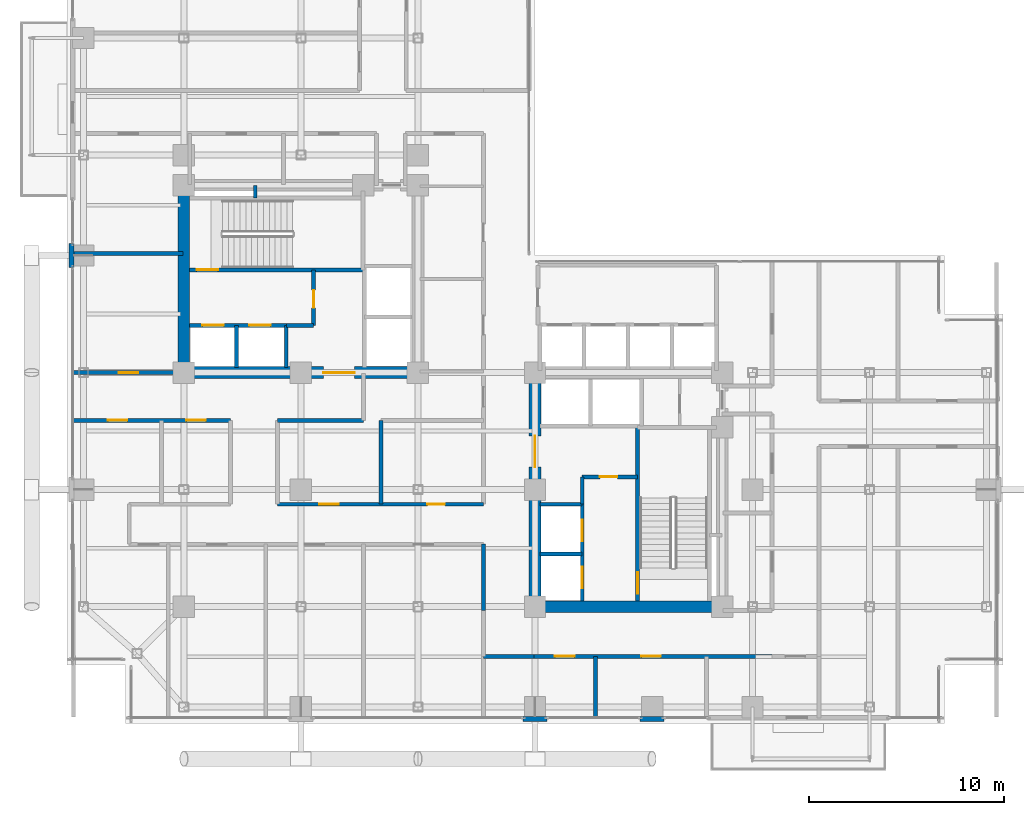
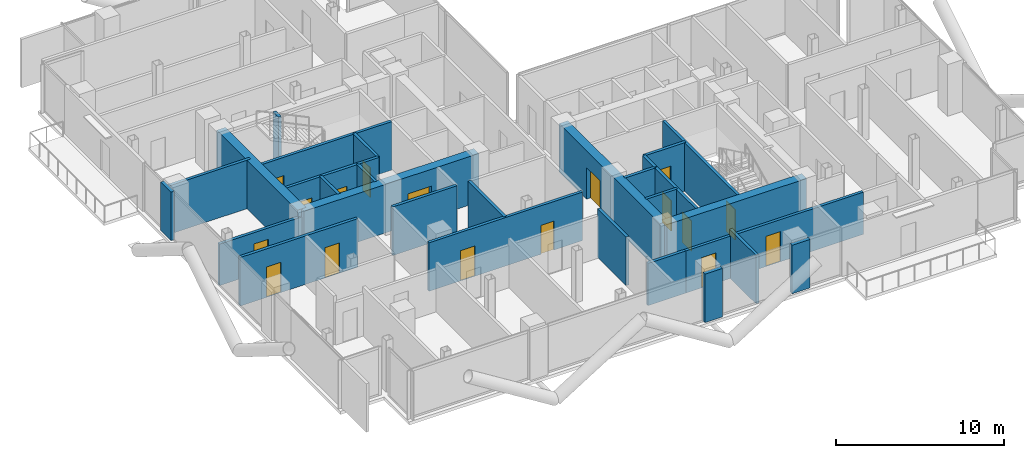
# One storey, part 22 of 28: 30 walls, 17 doors, 17 openings.
"""IFC4 building model written with IfcOpenShell, lengths in metres."""

from ifc_helpers import new_model, si_unit, direction, frame, frame_2d, origin, place, context, subcontext, project, spatial, rectangle, extrude, material, layer, layer_set, type_object, element, fill, save


model = new_model("IFC4")

# Units and contexts
model_context = context("Model", 3, precision=1e-05, world=origin(), true_north=direction((0.0, 1.0)))
body_context = subcontext(model_context, "Body", "Model", "MODEL_VIEW")
ifc_project = project(units=[si_unit("LENGTHUNIT", "METRE"), si_unit("AREAUNIT", "SQUARE_METRE"), si_unit("VOLUMEUNIT", "CUBIC_METRE"), si_unit("PLANEANGLEUNIT", "RADIAN"), si_unit("MASSUNIT", "GRAM", prefix="KILO"), si_unit("THERMODYNAMICTEMPERATUREUNIT", "KELVIN"), si_unit("POWERUNIT", "WATT")], contexts=[model_context])

# Site, building, storey
site_placement = place(None, origin())
site = spatial("IfcSite", under=ifc_project, at=site_placement, CompositionType="ELEMENT")
building_placement = place(site_placement, origin())
building = spatial("IfcBuilding", under=site, at=building_placement, Name="Svarakhadi Broadcast Tower", CompositionType="ELEMENT")
storey_placement = place(building_placement, frame((0.0, 0.0, 123.14990234375)))
storey = spatial("IfcBuildingStorey", under=building, at=storey_placement, Name="L29", CompositionType="ELEMENT", Elevation=123.14990234375)

# Wall
ifc_material_1 = material(Name="Double-Stud Acoustic Studio Partition STC-62", Category="gypsum")
ifc_layer_1 = layer(ifc_material_1, 0.199951171875)
ifc_layer_set_1 = layer_set([ifc_layer_1], Name="Double-Stud Acoustic Studio Partition STC-62")
wall_type_1 = type_object("IfcWallType", Name="Wall_Acoust_200", PredefinedType="PARTITIONING", material=ifc_layer_set_1)
wall_1_placement = place(storey_placement, frame((16.10009765625, 11.25, 0.0), z_axis=(0.0, 0.0, 1.0), x_axis=(0.0, 1.0, 0.0)))
element("IfcWall", 1, at=wall_1_placement, inside=storey, type_object=wall_type_1, Name="L29 Central Review Briefing Pod Wall", PredefinedType="PARTITIONING", context=body_context, shape_type="SweptSolid", body=[
    extrude(rectangle(XDim=4.300048828125, YDim=0.199951171875, at=frame_2d((2.14990234375, 0.0))), origin(), (0.0, 0.0, 1.0), 3.525146484375),
])

# Wall, opening, door
wall_2_placement = place(storey_placement, frame((0.300048828125, 18.0, 0.0), z_axis=(0.0, 0.0, 1.0), x_axis=(1.0, 0.0, 0.0)))
wall_2 = element("IfcWall", 2, at=wall_2_placement, inside=storey, type_object=wall_type_1, Name="L29 Arabian Sea Executive Studio Wall", PredefinedType="PARTITIONING", context=body_context, shape_type="SweptSolid", body=[
    extrude(rectangle(XDim=5.64990234375, YDim=0.199951171875, at=frame_2d((2.824951171875, 0.0))), origin(), (0.0, 0.0, 1.0), 3.01708984375),
])
opening_1_placement = place(wall_2_placement, frame((2.35009765625, 0.0, 0.0)))
opening_1 = element("IfcOpeningElement", 3, at=opening_1_placement, cuts=wall_2, Name="Opening D-08", PredefinedType="OPENING", context=body_context, shape_type="SweptSolid", body=[
    extrude(rectangle(XDim=1.0, YDim=2.199951171875, at=frame_2d((0.5, 1.10009765625))), frame((0.0, 0.10986328125, 0.0), z_axis=(0.0, -1.0, 0.0), x_axis=(1.0, 0.0, 0.0)), (0.0, 0.0, 1.0), 0.219970703125),
])
ifc_material_2 = material(Name="Solid-Core Teak Veneer Acoustic Timber Leaf", Category="wood")
door_type_1 = type_object("IfcDoorType", Name="Door_Suite_D08", OperationType="SINGLE_SWING_LEFT", PredefinedType="DOOR", material=ifc_material_2)
door_1_placement = place(opening_1_placement, origin())
door_1 = element("IfcDoor", 4, at=door_1_placement, inside=storey, type_object=door_type_1, Name="L29 Arabian Sea Executive Studio Door", OperationType="SINGLE_SWING_LEFT", OverallHeight=2.199951171875, OverallWidth=1.0, PredefinedType="DOOR", context=body_context, shape_type="SweptSolid", body=[
    extrude(rectangle(XDim=1.0, YDim=2.199951171875, at=frame_2d((0.5, 1.10009765625))), frame((0.0, 0.02490234375, 0.0), z_axis=(0.0, -1.0, 0.0), x_axis=(1.0, 0.0, 0.0)), (0.0, 0.0, 1.0), 0.050048828125),
])
fill(opening_1, door_1)

# Walls
wall_3_placement = place(storey_placement, frame((0.300048828125, 24.10009765625, 0.0), z_axis=(0.0, 0.0, 1.0), x_axis=(1.0, 0.0, 0.0)))
element("IfcWall", 5, at=wall_3_placement, inside=storey, type_object=wall_type_1, Name="L29 Arabian Sea Executive Studio Wall", PredefinedType="PARTITIONING", context=body_context, shape_type="SweptSolid", body=[
    extrude(rectangle(XDim=5.64990234375, YDim=0.199951171875, at=frame_2d((2.824951171875, 0.0))), origin(), (0.0, 0.0, 1.0), 3.525146484375),
])
wall_4_placement = place(storey_placement, frame((27.10009765625, 0.300048828125, 0.0), z_axis=(0.0, 0.0, 1.0), x_axis=(0.0, 1.0, 0.0)))
element("IfcWall", 6, at=wall_4_placement, inside=storey, type_object=wall_type_1, Name="L29 Harbour Front Production Office Wall", PredefinedType="PARTITIONING", context=body_context, shape_type="SweptSolid", body=[
    extrude(rectangle(XDim=3.14990234375, YDim=0.199951171875, at=frame_2d((1.574951171875, 0.0))), origin(), (0.0, 0.0, 1.0), 3.525146484375),
])
ifc_material_3 = material(Name="Concrete C40/50 (IS 456 M50)", Category="concrete")
ifc_layer_2 = layer(ifc_material_3, 0.239990234375)
ifc_layer_set_2 = layer_set([ifc_layer_2], Name="Concrete C40/50 (IS 456 M50)")
wall_type_2 = type_object("IfcWallType", Name="Wall_Ext_240", PredefinedType="SOLIDWALL", material=ifc_layer_set_2)
for number, where, z_axis, x_axis, name in (
    (7, (0.239990234375, 23.385009765625, 0.0), (0.0, 0.0, 1.0), (0.0, 1.0, 0.0), "L29 Perimeter Bronze Spandrel Closure Wall 02"),
    (8, (30.614990234375, 0.239990234375, 0.0), (0.0, 0.0, 1.0), (-1.0, 0.0, 0.0), "L29 Perimeter Bronze Spandrel Closure Wall 06"),
    (9, (24.614990234375, 0.239990234375, 0.0), (0.0, 0.0, 1.0), (-1.0, 0.0, 0.0), "L29 Perimeter Bronze Spandrel Closure Wall 07"),
):
    element("IfcWall", number, at=place(storey_placement, frame(where, z_axis=z_axis, x_axis=x_axis)), inside=storey, type_object=wall_type_2, Name=name, PredefinedType="SOLIDWALL", context=body_context, shape_type="SweptSolid", body=[
        extrude(rectangle(XDim=1.22998046875, YDim=0.239990234375, at=frame_2d((0.614990234375, 0.0))), origin(), (0.0, 0.0, 1.0), 3.525146484375),
    ])
ifc_layer_3 = layer(ifc_material_3, 0.199951171875)
ifc_layer_set_3 = layer_set([ifc_layer_3], Name="Concrete C40/50 (IS 456 M50)")
wall_type_3 = type_object("IfcWallType", Name="Wall_Fire_200", PredefinedType="SOLIDWALL", material=ifc_layer_set_3)
wall_5_placement = place(storey_placement, frame((9.659912109375, 26.93994140625, 0.0), z_axis=(0.0, 0.0, 1.0), x_axis=(0.0, 1.0, 0.0)))
element("IfcWall", 10, at=wall_5_placement, inside=storey, type_object=wall_type_3, Name="L29 Wet Riser Shaft East Wall", PredefinedType="SOLIDWALL", context=body_context, shape_type="SweptSolid", body=[
    extrude(rectangle(XDim=0.64013671875, YDim=0.199951171875, at=frame_2d((0.320068359375, 0.0))), origin(), (0.0, 0.0, 1.0), 3.525146484375),
])

# Wall, openings, doors
wall_6_placement = place(storey_placement, frame((36.14990234375, 3.449951171875, 0.0), z_axis=(0.0, 0.0, 1.0), x_axis=(-1.0, 0.0, 0.0)))
wall_6 = element("IfcWall", 11, at=wall_6_placement, inside=storey, type_object=wall_type_3, Name="L29 Zone 2/3 Corridor Wall", PredefinedType="SOLIDWALL", context=body_context, shape_type="SweptSolid", body=[
    extrude(rectangle(XDim=12.199951171875, YDim=0.199951171875, at=frame_2d((6.10009765625, 0.0))), origin(), (0.0, 0.0, 1.0), 3.067138671875),
])
opening_2_placement = place(wall_6_placement, frame((10.125, 0.0, 0.0)))
opening_2 = element("IfcOpeningElement", 12, at=opening_2_placement, cuts=wall_6, Name="Opening D-09", PredefinedType="OPENING", context=body_context, shape_type="SweptSolid", body=[
    extrude(rectangle(XDim=1.0, YDim=2.199951171875, at=frame_2d((0.5, 1.10009765625))), frame((0.0, 0.10986328125, 0.0), z_axis=(0.0, -1.0, 0.0), x_axis=(1.0, 0.0, 0.0)), (0.0, 0.0, 1.0), 0.219970703125),
])
opening_3_placement = place(wall_6_placement, frame((5.699951171875, 0.0, 0.0)))
opening_3 = element("IfcOpeningElement", 13, at=opening_3_placement, cuts=wall_6, Name="Opening D-08", PredefinedType="OPENING", context=body_context, shape_type="SweptSolid", body=[
    extrude(rectangle(XDim=1.0, YDim=2.199951171875, at=frame_2d((0.5, 1.10009765625))), frame((0.0, 0.10986328125, 0.0), z_axis=(0.0, -1.0, 0.0), x_axis=(1.0, 0.0, 0.0)), (0.0, 0.0, 1.0), 0.219970703125),
])
door_2_placement = place(opening_3_placement, origin())
door_2 = element("IfcDoor", 14, at=door_2_placement, inside=storey, type_object=door_type_1, Name="L29 Client Preview Briefing Room Door", OperationType="SINGLE_SWING_LEFT", OverallHeight=2.199951171875, OverallWidth=1.0, PredefinedType="DOOR", context=body_context, shape_type="SweptSolid", body=[
    extrude(rectangle(XDim=1.0, YDim=2.199951171875, at=frame_2d((0.5, 1.10009765625))), frame((0.0, 0.02490234375, 0.0), z_axis=(0.0, -1.0, 0.0), x_axis=(1.0, 0.0, 0.0)), (0.0, 0.0, 1.0), 0.050048828125),
])
fill(opening_3, door_2)
door_type_2 = type_object("IfcDoorType", Name="Door_Suite_D09", OperationType="SINGLE_SWING_RIGHT", PredefinedType="DOOR", material=ifc_material_2)
door_3_placement = place(opening_2_placement, origin())
door_3 = element("IfcDoor", 15, at=door_3_placement, inside=storey, type_object=door_type_2, Name="L29 Harbour Front Production Office Door", OperationType="SINGLE_SWING_RIGHT", OverallHeight=2.199951171875, OverallWidth=1.0, PredefinedType="DOOR", context=body_context, shape_type="SweptSolid", body=[
    extrude(rectangle(XDim=1.0, YDim=2.199951171875, at=frame_2d((0.5, 1.10009765625))), frame((0.0, 0.02490234375, 0.0), z_axis=(0.0, -1.0, 0.0), x_axis=(1.0, 0.0, 0.0)), (0.0, 0.0, 1.0), 0.050048828125),
])
fill(opening_2, door_3)

# Walls
wall_7_placement = place(storey_placement, frame((23.949951171875, 3.449951171875, 0.0), z_axis=(0.0, 0.0, 1.0), x_axis=(-1.0, 0.0, 0.0)))
element("IfcWall", 16, at=wall_7_placement, inside=storey, type_object=wall_type_3, Name="L29 Zone 2/3 Corridor Wall", PredefinedType="SOLIDWALL", context=body_context, shape_type="SweptSolid", body=[
    extrude(rectangle(XDim=2.599853515625, YDim=0.199951171875, at=frame_2d((1.2998046875, 0.0))), origin(), (0.0, 0.0, 1.0), 3.067138671875),
])
wall_8_placement = place(storey_placement, frame((21.35009765625, 5.800048828125, 0.0), z_axis=(0.0, 0.0, 1.0), x_axis=(0.0, 1.0, 0.0)))
element("IfcWall", 17, at=wall_8_placement, inside=storey, type_object=wall_type_3, Name="L29 Zone 2/3 Corridor Wall", PredefinedType="SOLIDWALL", context=body_context, shape_type="SweptSolid", body=[
    extrude(rectangle(XDim=3.39990234375, YDim=0.199951171875, at=frame_2d((1.699951171875, 0.0))), origin(), (0.0, 0.0, 1.0), 3.525146484375),
])

# Wall, openings, doors
wall_9_placement = place(storey_placement, frame((8.39990234375, 15.550048828125, 0.0), z_axis=(0.0, 0.0, 1.0), x_axis=(-1.0, 0.0, 0.0)))
wall_9 = element("IfcWall", 18, at=wall_9_placement, inside=storey, type_object=wall_type_3, Name="L29 Zone 2/3 Corridor Wall", PredefinedType="SOLIDWALL", context=body_context, shape_type="SweptSolid", body=[
    extrude(rectangle(XDim=8.099853515625, YDim=0.199951171875, at=frame_2d((4.0498046875, 0.0))), origin(), (0.0, 0.0, 1.0), 3.525146484375),
])
opening_4_placement = place(wall_9_placement, frame((5.300048828125, 0.0, 0.0)))
opening_4 = element("IfcOpeningElement", 19, at=opening_4_placement, cuts=wall_9, Name="Opening D-09", PredefinedType="OPENING", context=body_context, shape_type="SweptSolid", body=[
    extrude(rectangle(XDim=1.0, YDim=2.199951171875, at=frame_2d((0.5, 1.10009765625))), frame((0.0, 0.10986328125, 0.0), z_axis=(0.0, -1.0, 0.0), x_axis=(1.0, 0.0, 0.0)), (0.0, 0.0, 1.0), 0.219970703125),
])
opening_5_placement = place(wall_9_placement, frame((1.27490234375, 0.0, 0.0)))
opening_5 = element("IfcOpeningElement", 20, at=opening_5_placement, cuts=wall_9, Name="Opening D-08", PredefinedType="OPENING", context=body_context, shape_type="SweptSolid", body=[
    extrude(rectangle(XDim=1.0, YDim=2.199951171875, at=frame_2d((0.5, 1.10009765625))), frame((0.0, 0.10986328125, 0.0), z_axis=(0.0, -1.0, 0.0), x_axis=(1.0, 0.0, 0.0)), (0.0, 0.0, 1.0), 0.219970703125),
])
door_4_placement = place(opening_5_placement, origin())
door_4 = element("IfcDoor", 21, at=door_4_placement, inside=storey, type_object=door_type_1, Name="L29 Foley Studio Door", OperationType="SINGLE_SWING_LEFT", OverallHeight=2.199951171875, OverallWidth=1.0, PredefinedType="DOOR", context=body_context, shape_type="SweptSolid", body=[
    extrude(rectangle(XDim=1.0, YDim=2.199951171875, at=frame_2d((0.5, 1.10009765625))), frame((0.0, 0.02490234375, 0.0), z_axis=(0.0, -1.0, 0.0), x_axis=(1.0, 0.0, 0.0)), (0.0, 0.0, 1.0), 0.050048828125),
])
fill(opening_5, door_4)
door_5_placement = place(opening_4_placement, origin())
door_5 = element("IfcDoor", 22, at=door_5_placement, inside=storey, type_object=door_type_2, Name="L29 Voiceover Booth Door", OperationType="SINGLE_SWING_RIGHT", OverallHeight=2.199951171875, OverallWidth=1.0, PredefinedType="DOOR", context=body_context, shape_type="SweptSolid", body=[
    extrude(rectangle(XDim=1.0, YDim=2.199951171875, at=frame_2d((0.5, 1.10009765625))), frame((0.0, 0.02490234375, 0.0), z_axis=(0.0, -1.0, 0.0), x_axis=(1.0, 0.0, 0.0)), (0.0, 0.0, 1.0), 0.050048828125),
])
fill(opening_4, door_5)

# Wall
wall_10_placement = place(storey_placement, frame((15.199951171875, 15.550048828125, 0.0), z_axis=(0.0, 0.0, 1.0), x_axis=(-1.0, 0.0, 0.0)))
element("IfcWall", 23, at=wall_10_placement, inside=storey, type_object=wall_type_3, Name="L29 Zone 2/3 Corridor Wall", PredefinedType="SOLIDWALL", context=body_context, shape_type="SweptSolid", body=[
    extrude(rectangle(XDim=4.39990234375, YDim=0.199951171875, at=frame_2d((2.199951171875, 0.0))), origin(), (0.0, 0.0, 1.0), 3.525146484375),
])

# Wall, openings, doors
wall_11_placement = place(storey_placement, frame((10.800048828125, 11.25, 0.0), z_axis=(0.0, 0.0, 1.0), x_axis=(1.0, 0.0, 0.0)))
wall_11 = element("IfcWall", 24, at=wall_11_placement, inside=storey, type_object=wall_type_3, Name="L29 Zone 2/3 Corridor Wall", PredefinedType="SOLIDWALL", context=body_context, shape_type="SweptSolid", body=[
    extrude(rectangle(XDim=10.550048828125, YDim=0.199951171875, at=frame_2d((5.27490234375, 0.0))), origin(), (0.0, 0.0, 1.0), 3.525146484375),
])
opening_6_placement = place(wall_11_placement, frame((2.14990234375, 0.0, 0.0)))
opening_6 = element("IfcOpeningElement", 25, at=opening_6_placement, cuts=wall_11, Name="Opening D-09", PredefinedType="OPENING", context=body_context, shape_type="SweptSolid", body=[
    extrude(rectangle(XDim=1.0, YDim=2.199951171875, at=frame_2d((0.5, 1.10009765625))), frame((0.0, 0.10986328125, 0.0), z_axis=(0.0, -1.0, 0.0), x_axis=(1.0, 0.0, 0.0)), (0.0, 0.0, 1.0), 0.219970703125),
])
opening_7_placement = place(wall_11_placement, frame((7.679931640625, 0.0, 0.0)))
opening_7 = element("IfcOpeningElement", 26, at=opening_7_placement, cuts=wall_11, Name="Opening D-13", PredefinedType="OPENING", context=body_context, shape_type="SweptSolid", body=[
    extrude(rectangle(XDim=0.89990234375, YDim=2.10009765625, at=frame_2d((0.449951171875, 1.050048828125))), frame((0.0, 0.10986328125, 0.0), z_axis=(0.0, -1.0, 0.0), x_axis=(1.0, 0.0, 0.0)), (0.0, 0.0, 1.0), 0.219970703125),
])
door_type_3 = type_object("IfcDoorType", Name="Door_Closet_D13", OperationType="SINGLE_SWING_RIGHT", PredefinedType="DOOR", material=ifc_material_2)
door_6_placement = place(opening_7_placement, origin())
door_6 = element("IfcDoor", 27, at=door_6_placement, inside=storey, type_object=door_type_3, Name="L29 Accessible Floor Washroom WC Door", OperationType="SINGLE_SWING_RIGHT", OverallHeight=2.10009765625, OverallWidth=0.89990234375, PredefinedType="DOOR", context=body_context, shape_type="SweptSolid", body=[
    extrude(rectangle(XDim=0.89990234375, YDim=2.10009765625, at=frame_2d((0.449951171875, 1.050048828125))), frame((0.0, 0.02490234375, 0.0), z_axis=(0.0, -1.0, 0.0), x_axis=(1.0, 0.0, 0.0)), (0.0, 0.0, 1.0), 0.050048828125),
])
fill(opening_7, door_6)
door_7_placement = place(opening_6_placement, origin())
door_7 = element("IfcDoor", 28, at=door_7_placement, inside=storey, type_object=door_type_2, Name="L29 Central Review Briefing Pod Door", OperationType="SINGLE_SWING_RIGHT", OverallHeight=2.199951171875, OverallWidth=1.0, PredefinedType="DOOR", context=body_context, shape_type="SweptSolid", body=[
    extrude(rectangle(XDim=1.0, YDim=2.199951171875, at=frame_2d((0.5, 1.10009765625))), frame((0.0, 0.02490234375, 0.0), z_axis=(0.0, -1.0, 0.0), x_axis=(1.0, 0.0, 0.0)), (0.0, 0.0, 1.0), 0.050048828125),
])
fill(opening_6, door_7)

# Wall, opening, door
ifc_material_4 = material(Name="Concrete C50/60 (IS 456 M60)", Category="concrete")
ifc_layer_4 = layer(ifc_material_4, 0.199951171875)
ifc_layer_set_4 = layer_set([ifc_layer_4], Name="Concrete C50/60 (IS 456 M60)")
wall_type_4 = type_object("IfcWallType", Name="Wall_Shear_200", PredefinedType="SHEAR", material=ifc_layer_set_4)
wall_12_placement = place(storey_placement, frame((6.300048828125, 23.260009765625, 0.0), z_axis=(0.0, 0.0, 1.0), x_axis=(1.0, 0.0, 0.0)))
wall_12 = element("IfcWall", 29, at=wall_12_placement, inside=storey, type_object=wall_type_4, Name="L29 Stair ST-01 South RC Shaft Wall", PredefinedType="SHEAR", context=body_context, shape_type="SweptSolid", body=[
    extrude(rectangle(XDim=8.8798828125, YDim=0.199951171875, at=frame_2d((4.43994140625, 0.0))), origin(), (0.0, 0.0, 1.0), 3.525146484375),
])
opening_8_placement = place(wall_12_placement, frame((0.35009765625, 0.0, 0.0)))
opening_8 = element("IfcOpeningElement", 30, at=opening_8_placement, cuts=wall_12, Name="Opening D-01", PredefinedType="OPENING", context=body_context, shape_type="SweptSolid", body=[
    extrude(rectangle(XDim=1.10009765625, YDim=2.199951171875, at=frame_2d((0.550048828125, 1.10009765625))), frame((0.0, 0.10986328125, 0.0), z_axis=(0.0, -1.0, 0.0), x_axis=(1.0, 0.0, 0.0)), (0.0, 0.0, 1.0), 0.219970703125),
])
ifc_material_5 = material(Name="Galvanised Powder-Coated Fire-Rated Steel Leaf", Category="steel")
door_type_4 = type_object("IfcDoorType", Name="Door_Stair_D01", OperationType="SINGLE_SWING_LEFT", PredefinedType="DOOR", material=ifc_material_5)
door_8_placement = place(opening_8_placement, origin())
door_8 = element("IfcDoor", 31, at=door_8_placement, inside=storey, type_object=door_type_4, Name="L29 Protected Exit Stair ST-01 Fire Door", OperationType="SINGLE_SWING_LEFT", OverallHeight=2.199951171875, OverallWidth=1.10009765625, PredefinedType="DOOR", context=body_context, shape_type="SweptSolid", body=[
    extrude(rectangle(XDim=1.10009765625, YDim=2.199951171875, at=frame_2d((0.550048828125, 1.10009765625))), frame((0.0, 0.02490234375, 0.0), z_axis=(0.0, -1.0, 0.0), x_axis=(1.0, 0.0, 0.0)), (0.0, 0.0, 1.0), 0.050048828125),
])
fill(opening_8, door_8)

wall_13_placement = place(storey_placement, frame((29.260009765625, 6.300048828125, 0.0), z_axis=(0.0, 0.0, 1.0), x_axis=(0.0, 1.0, 0.0)))
wall_13 = element("IfcWall", 32, at=wall_13_placement, inside=storey, type_object=wall_type_4, Name="L29 Stair ST-02 West RC Shaft Wall", PredefinedType="SHEAR", context=body_context, shape_type="SweptSolid", body=[
    extrude(rectangle(XDim=8.8798828125, YDim=0.199951171875, at=frame_2d((4.43994140625, 0.0))), origin(), (0.0, 0.0, 1.0), 3.525146484375),
])
opening_9_placement = place(wall_13_placement, frame((0.35009765625, 0.0, 0.0)))
opening_9 = element("IfcOpeningElement", 33, at=opening_9_placement, cuts=wall_13, Name="Opening D-02", PredefinedType="OPENING", context=body_context, shape_type="SweptSolid", body=[
    extrude(rectangle(XDim=1.10009765625, YDim=2.199951171875, at=frame_2d((0.550048828125, 1.10009765625))), frame((0.0, 0.10986328125, 0.0), z_axis=(0.0, -1.0, 0.0), x_axis=(1.0, 0.0, 0.0)), (0.0, 0.0, 1.0), 0.219970703125),
])
door_type_5 = type_object("IfcDoorType", Name="Door_Stair_D02", OperationType="SINGLE_SWING_RIGHT", PredefinedType="DOOR", material=ifc_material_5)
door_9_placement = place(opening_9_placement, origin())
door_9 = element("IfcDoor", 34, at=door_9_placement, inside=storey, type_object=door_type_5, Name="L29 Protected Exit Stair ST-02 Fire Door", OperationType="SINGLE_SWING_RIGHT", OverallHeight=2.199951171875, OverallWidth=1.10009765625, PredefinedType="DOOR", context=body_context, shape_type="SweptSolid", body=[
    extrude(rectangle(XDim=1.10009765625, YDim=2.199951171875, at=frame_2d((0.550048828125, 1.10009765625))), frame((0.0, 0.02490234375, 0.0), z_axis=(0.0, -1.0, 0.0), x_axis=(1.0, 0.0, 0.0)), (0.0, 0.0, 1.0), 0.050048828125),
])
fill(opening_9, door_9)

# Wall, openings, doors
wall_14_placement = place(storey_placement, frame((6.300048828125, 20.419921875, 0.0), z_axis=(0.0, 0.0, 1.0), x_axis=(1.0, 0.0, 0.0)))
wall_14 = element("IfcWall", 35, at=wall_14_placement, inside=storey, type_object=wall_type_4, Name="L29 Firefighting Lift LF-01/02 Shaft Wall", PredefinedType="SHEAR", context=body_context, shape_type="SweptSolid", body=[
    extrude(rectangle(XDim=4.949951171875, YDim=0.199951171875, at=frame_2d((2.47509765625, 0.0))), origin(), (0.0, 0.0, 1.0), 3.525146484375),
])
opening_10_placement = place(wall_14_placement, frame((0.64990234375, 0.0, 0.0)))
opening_10 = element("IfcOpeningElement", 36, at=opening_10_placement, cuts=wall_14, Name="Opening LD-01", PredefinedType="OPENING", context=body_context, shape_type="SweptSolid", body=[
    extrude(rectangle(XDim=1.10009765625, YDim=2.199951171875, at=frame_2d((0.550048828125, 1.10009765625))), frame((0.0, 0.10986328125, 0.0), z_axis=(0.0, -1.0, 0.0), x_axis=(1.0, 0.0, 0.0)), (0.0, 0.0, 1.0), 0.219970703125),
])
opening_11_placement = place(wall_14_placement, frame((3.050048828125, 0.0, 0.0)))
opening_11 = element("IfcOpeningElement", 37, at=opening_11_placement, cuts=wall_14, Name="Opening LD-01", PredefinedType="OPENING", context=body_context, shape_type="SweptSolid", body=[
    extrude(rectangle(XDim=1.10009765625, YDim=2.199951171875, at=frame_2d((0.550048828125, 1.10009765625))), frame((0.0, 0.10986328125, 0.0), z_axis=(0.0, -1.0, 0.0), x_axis=(1.0, 0.0, 0.0)), (0.0, 0.0, 1.0), 0.219970703125),
])
door_type_6 = type_object("IfcDoorType", Name="Door_Lift_LD01", OperationType="SLIDING_TO_LEFT", PredefinedType="DOOR", material=ifc_material_5)
door_10_placement = place(opening_10_placement, origin())
door_10 = element("IfcDoor", 38, at=door_10_placement, inside=storey, type_object=door_type_6, Name="L29 Firefighting Lift LF-01 Landing Door", OperationType="SLIDING_TO_LEFT", OverallHeight=2.199951171875, OverallWidth=1.10009765625, PredefinedType="DOOR", context=body_context, shape_type="SweptSolid", body=[
    extrude(rectangle(XDim=1.10009765625, YDim=2.199951171875, at=frame_2d((0.550048828125, 1.10009765625))), frame((0.0, 0.02490234375, 0.0), z_axis=(0.0, -1.0, 0.0), x_axis=(1.0, 0.0, 0.0)), (0.0, 0.0, 1.0), 0.050048828125),
])
fill(opening_10, door_10)
door_11_placement = place(opening_11_placement, origin())
door_11 = element("IfcDoor", 39, at=door_11_placement, inside=storey, type_object=door_type_6, Name="L29 Firefighting Lift LF-02 Landing Door", OperationType="SLIDING_TO_LEFT", OverallHeight=2.199951171875, OverallWidth=1.10009765625, PredefinedType="DOOR", context=body_context, shape_type="SweptSolid", body=[
    extrude(rectangle(XDim=1.10009765625, YDim=2.199951171875, at=frame_2d((0.550048828125, 1.10009765625))), frame((0.0, 0.02490234375, 0.0), z_axis=(0.0, -1.0, 0.0), x_axis=(1.0, 0.0, 0.0)), (0.0, 0.0, 1.0), 0.050048828125),
])
fill(opening_11, door_11)

# Walls
for number, where, z_axis, x_axis, name in (
    (40, (8.699951171875, 18.25, 0.0), (0.0, 0.0, 1.0), (0.0, 1.0, 0.0), "L29 Firefighting Lift LF-01/02 Divider Wall"),
    (41, (11.25, 18.25, 0.0), (0.0, 0.0, 1.0), (0.0, 1.0, 0.0), "L29 Firefighting Lift LF-02 East Wall"),
):
    element("IfcWall", number, at=place(storey_placement, frame(where, z_axis=z_axis, x_axis=x_axis)), inside=storey, type_object=wall_type_4, Name=name, PredefinedType="SHEAR", context=body_context, shape_type="SweptSolid", body=[
        extrude(rectangle(XDim=2.169921875, YDim=0.199951171875, at=frame_2d((1.0849609375, 0.0))), origin(), (0.0, 0.0, 1.0), 3.525146484375),
    ])
wall_15_placement = place(storey_placement, frame((11.25, 20.419921875, 0.0), z_axis=(0.0, 0.0, 1.0), x_axis=(1.0, 0.0, 0.0)))
element("IfcWall", 42, at=wall_15_placement, inside=storey, type_object=wall_type_4, Name="L29 West Firefighting Lobby South Wall", PredefinedType="SHEAR", context=body_context, shape_type="SweptSolid", body=[
    extrude(rectangle(XDim=1.39990234375, YDim=0.199951171875, at=frame_2d((0.699951171875, 0.0))), origin(), (0.0, 0.0, 1.0), 3.525146484375),
])

# Wall, opening, door
wall_16_placement = place(storey_placement, frame((12.64990234375, 20.419921875, 0.0), z_axis=(0.0, 0.0, 1.0), x_axis=(0.0, 1.0, 0.0)))
wall_16 = element("IfcWall", 43, at=wall_16_placement, inside=storey, type_object=wall_type_4, Name="L29 West Firefighting Lobby East Wall", PredefinedType="SHEAR", context=body_context, shape_type="SweptSolid", body=[
    extrude(rectangle(XDim=2.840087890625, YDim=0.199951171875, at=frame_2d((1.419921875, 0.0))), origin(), (0.0, 0.0, 1.0), 3.525146484375),
])
opening_12_placement = place(wall_16_placement, frame((0.89990234375, 0.0, 0.0)))
opening_12 = element("IfcOpeningElement", 44, at=opening_12_placement, cuts=wall_16, Name="Opening D-04", PredefinedType="OPENING", context=body_context, shape_type="SweptSolid", body=[
    extrude(rectangle(XDim=0.89990234375, YDim=2.14990234375, at=frame_2d((0.449951171875, 1.074951171875))), frame((0.0, 0.10986328125, 0.0), z_axis=(0.0, -1.0, 0.0), x_axis=(1.0, 0.0, 0.0)), (0.0, 0.0, 1.0), 0.219970703125),
])
door_type_7 = type_object("IfcDoorType", Name="Door_Fire_D04", OperationType="SINGLE_SWING_RIGHT", PredefinedType="DOOR", material=ifc_material_5)
door_12_placement = place(opening_12_placement, origin())
door_12 = element("IfcDoor", 45, at=door_12_placement, inside=storey, type_object=door_type_7, Name="L29 West Firefighting Lobby Fire Door", OperationType="SINGLE_SWING_RIGHT", OverallHeight=2.14990234375, OverallWidth=0.89990234375, PredefinedType="DOOR", context=body_context, shape_type="SweptSolid", body=[
    extrude(rectangle(XDim=0.89990234375, YDim=2.14990234375, at=frame_2d((0.449951171875, 1.074951171875))), frame((0.0, 0.02490234375, 0.0), z_axis=(0.0, -1.0, 0.0), x_axis=(1.0, 0.0, 0.0)), (0.0, 0.0, 1.0), 0.050048828125),
])
fill(opening_12, door_12)

# Wall, openings, doors
wall_17_placement = place(storey_placement, frame((26.419921875, 6.300048828125, 0.0), z_axis=(0.0, 0.0, 1.0), x_axis=(0.0, 1.0, 0.0)))
wall_17 = element("IfcWall", 46, at=wall_17_placement, inside=storey, type_object=wall_type_4, Name="L29 Firefighting Lift LF-03/04 Shaft Wall", PredefinedType="SHEAR", context=body_context, shape_type="SweptSolid", body=[
    extrude(rectangle(XDim=4.949951171875, YDim=0.199951171875, at=frame_2d((2.47509765625, 0.0))), origin(), (0.0, 0.0, 1.0), 3.525146484375),
])
opening_13_placement = place(wall_17_placement, frame((0.64990234375, 0.0, 0.0)))
opening_13 = element("IfcOpeningElement", 47, at=opening_13_placement, cuts=wall_17, Name="Opening LD-01", PredefinedType="OPENING", context=body_context, shape_type="SweptSolid", body=[
    extrude(rectangle(XDim=1.10009765625, YDim=2.199951171875, at=frame_2d((0.550048828125, 1.10009765625))), frame((0.0, 0.10986328125, 0.0), z_axis=(0.0, -1.0, 0.0), x_axis=(1.0, 0.0, 0.0)), (0.0, 0.0, 1.0), 0.219970703125),
])
opening_14_placement = place(wall_17_placement, frame((3.050048828125, 0.0, 0.0)))
opening_14 = element("IfcOpeningElement", 48, at=opening_14_placement, cuts=wall_17, Name="Opening LD-01", PredefinedType="OPENING", context=body_context, shape_type="SweptSolid", body=[
    extrude(rectangle(XDim=1.10009765625, YDim=2.199951171875, at=frame_2d((0.550048828125, 1.10009765625))), frame((0.0, 0.10986328125, 0.0), z_axis=(0.0, -1.0, 0.0), x_axis=(1.0, 0.0, 0.0)), (0.0, 0.0, 1.0), 0.219970703125),
])
door_13_placement = place(opening_13_placement, origin())
door_13 = element("IfcDoor", 49, at=door_13_placement, inside=storey, type_object=door_type_6, Name="L29 Firefighting Lift LF-03 Landing Door", OperationType="SLIDING_TO_LEFT", OverallHeight=2.199951171875, OverallWidth=1.10009765625, PredefinedType="DOOR", context=body_context, shape_type="SweptSolid", body=[
    extrude(rectangle(XDim=1.10009765625, YDim=2.199951171875, at=frame_2d((0.550048828125, 1.10009765625))), frame((0.0, 0.02490234375, 0.0), z_axis=(0.0, -1.0, 0.0), x_axis=(1.0, 0.0, 0.0)), (0.0, 0.0, 1.0), 0.050048828125),
])
fill(opening_13, door_13)
door_14_placement = place(opening_14_placement, origin())
door_14 = element("IfcDoor", 50, at=door_14_placement, inside=storey, type_object=door_type_6, Name="L29 Firefighting Lift LF-04 Landing Door", OperationType="SLIDING_TO_LEFT", OverallHeight=2.199951171875, OverallWidth=1.10009765625, PredefinedType="DOOR", context=body_context, shape_type="SweptSolid", body=[
    extrude(rectangle(XDim=1.10009765625, YDim=2.199951171875, at=frame_2d((0.550048828125, 1.10009765625))), frame((0.0, 0.02490234375, 0.0), z_axis=(0.0, -1.0, 0.0), x_axis=(1.0, 0.0, 0.0)), (0.0, 0.0, 1.0), 0.050048828125),
])
fill(opening_14, door_14)

# Walls
for number, where, z_axis, x_axis, name in (
    (51, (24.25, 8.699951171875, 0.0), (0.0, 0.0, 1.0), (1.0, 0.0, 0.0), "L29 Firefighting Lift LF-03/04 Divider Wall"),
    (52, (24.25, 11.25, 0.0), (0.0, 0.0, 1.0), (1.0, 0.0, 0.0), "L29 Firefighting Lift LF-04 North Wall"),
):
    element("IfcWall", number, at=place(storey_placement, frame(where, z_axis=z_axis, x_axis=x_axis)), inside=storey, type_object=wall_type_4, Name=name, PredefinedType="SHEAR", context=body_context, shape_type="SweptSolid", body=[
        extrude(rectangle(XDim=2.169921875, YDim=0.199951171875, at=frame_2d((1.0849609375, 0.0))), origin(), (0.0, 0.0, 1.0), 3.525146484375),
    ])
wall_18_placement = place(storey_placement, frame((26.419921875, 11.25, 0.0), z_axis=(0.0, 0.0, 1.0), x_axis=(0.0, 1.0, 0.0)))
element("IfcWall", 53, at=wall_18_placement, inside=storey, type_object=wall_type_4, Name="L29 East Firefighting Lobby West Wall", PredefinedType="SHEAR", context=body_context, shape_type="SweptSolid", body=[
    extrude(rectangle(XDim=1.39990234375, YDim=0.199951171875, at=frame_2d((0.699951171875, 0.0))), origin(), (0.0, 0.0, 1.0), 3.525146484375),
])

# Wall, opening, door
wall_19_placement = place(storey_placement, frame((26.419921875, 12.64990234375, 0.0), z_axis=(0.0, 0.0, 1.0), x_axis=(1.0, 0.0, 0.0)))
wall_19 = element("IfcWall", 54, at=wall_19_placement, inside=storey, type_object=wall_type_4, Name="L29 East Firefighting Lobby North Wall", PredefinedType="SHEAR", context=body_context, shape_type="SweptSolid", body=[
    extrude(rectangle(XDim=2.840087890625, YDim=0.199951171875, at=frame_2d((1.419921875, 0.0))), origin(), (0.0, 0.0, 1.0), 3.525146484375),
])
opening_15_placement = place(wall_19_placement, frame((0.89990234375, 0.0, 0.0)))
opening_15 = element("IfcOpeningElement", 55, at=opening_15_placement, cuts=wall_19, Name="Opening D-03", PredefinedType="OPENING", context=body_context, shape_type="SweptSolid", body=[
    extrude(rectangle(XDim=0.89990234375, YDim=2.14990234375, at=frame_2d((0.449951171875, 1.074951171875))), frame((0.0, 0.10986328125, 0.0), z_axis=(0.0, -1.0, 0.0), x_axis=(1.0, 0.0, 0.0)), (0.0, 0.0, 1.0), 0.219970703125),
])
door_type_8 = type_object("IfcDoorType", Name="Door_Fire_D03", OperationType="SINGLE_SWING_LEFT", PredefinedType="DOOR", material=ifc_material_5)
door_15_placement = place(opening_15_placement, origin())
door_15 = element("IfcDoor", 56, at=door_15_placement, inside=storey, type_object=door_type_8, Name="L29 East Firefighting Lobby Fire Door", OperationType="SINGLE_SWING_LEFT", OverallHeight=2.14990234375, OverallWidth=0.89990234375, PredefinedType="DOOR", context=body_context, shape_type="SweptSolid", body=[
    extrude(rectangle(XDim=0.89990234375, YDim=2.14990234375, at=frame_2d((0.449951171875, 1.074951171875))), frame((0.0, 0.02490234375, 0.0), z_axis=(0.0, -1.0, 0.0), x_axis=(1.0, 0.0, 0.0)), (0.0, 0.0, 1.0), 0.050048828125),
])
fill(opening_15, door_15)

ifc_material_6 = material(Name="Concrete C60/75 (IS 456 M70)", Category="concrete")
ifc_layer_5 = layer(ifc_material_6, 0.60009765625)
ifc_layer_set_5 = layer_set([ifc_layer_5], Name="Concrete C60/75 (IS 456 M70)")
wall_type_5 = type_object("IfcWallType", Name="Wall_Shear_600", PredefinedType="SHEAR", material=ifc_layer_set_5)
wall_20_placement = place(storey_placement, frame((6.0, 18.0, 0.0), z_axis=(0.0, 0.0, 1.0), x_axis=(1.0, 0.0, 0.0)))
wall_20 = element("IfcWall", 57, at=wall_20_placement, inside=storey, type_object=wall_type_5, Name="L29 West Core South Shear Wall", PredefinedType="SHEAR", context=body_context, shape_type="SweptSolid", body=[
    extrude(rectangle(XDim=12.0, YDim=0.60009765625, at=frame_2d((6.0, 0.0))), origin(), (0.0, 0.0, 1.0), 3.525146484375),
])
opening_16_placement = place(wall_20_placement, frame((7.14990234375, 0.0, 0.0)))
opening_16 = element("IfcOpeningElement", 58, at=opening_16_placement, cuts=wall_20, Name="Opening D-05", PredefinedType="OPENING", context=body_context, shape_type="SweptSolid", body=[
    extrude(rectangle(XDim=1.60009765625, YDim=2.300048828125, at=frame_2d((0.800048828125, 1.14990234375))), frame((0.0, 0.31005859375, 0.0), z_axis=(0.0, -1.0, 0.0), x_axis=(1.0, 0.0, 0.0)), (0.0, 0.0, 1.0), 0.6201171875),
])
ifc_material_7 = material(Name="Anodised Bronze Aluminium AA 6063-T6", Category="aluminium")
door_type_9 = type_object("IfcDoorType", Name="Door_Lobby_D05", OperationType="DOUBLE_DOOR_SLIDING", PredefinedType="DOOR", material=ifc_material_7)
door_16_placement = place(opening_16_placement, origin())
door_16 = element("IfcDoor", 59, at=door_16_placement, inside=storey, type_object=door_type_9, Name="L29 West Core Passenger Lift Lobby Entrance Door", OperationType="DOUBLE_DOOR_SLIDING", OverallHeight=2.300048828125, OverallWidth=1.60009765625, PredefinedType="DOOR", context=body_context, shape_type="SweptSolid", body=[
    extrude(rectangle(XDim=1.60009765625, YDim=2.300048828125, at=frame_2d((0.800048828125, 1.14990234375))), frame((0.0, 0.02490234375, 0.0), z_axis=(0.0, -1.0, 0.0), x_axis=(1.0, 0.0, 0.0)), (0.0, 0.0, 1.0), 0.050048828125),
])
fill(opening_16, door_16)

# Walls
for number, where, z_axis, x_axis, name in (
    (60, (6.0, 18.0, 0.0), (0.0, 0.0, 1.0), (0.0, 1.0, 0.0), "L29 West Core West Shear Wall"),
    (61, (24.0, 6.0, 0.0), (0.0, 0.0, 1.0), (1.0, 0.0, 0.0), "L29 East Core South Shear Wall"),
):
    element("IfcWall", number, at=place(storey_placement, frame(where, z_axis=z_axis, x_axis=x_axis)), inside=storey, type_object=wall_type_5, Name=name, PredefinedType="SHEAR", context=body_context, shape_type="SweptSolid", body=[
        extrude(rectangle(XDim=9.60009765625, YDim=0.60009765625, at=frame_2d((4.800048828125, 0.0))), origin(), (0.0, 0.0, 1.0), 3.525146484375),
    ])

# Wall, opening, door
wall_21_placement = place(storey_placement, frame((24.0, 6.0, 0.0), z_axis=(0.0, 0.0, 1.0), x_axis=(0.0, 1.0, 0.0)))
wall_21 = element("IfcWall", 62, at=wall_21_placement, inside=storey, type_object=wall_type_5, Name="L29 East Core West Shear Wall", PredefinedType="SHEAR", context=body_context, shape_type="SweptSolid", body=[
    extrude(rectangle(XDim=12.0, YDim=0.60009765625, at=frame_2d((6.0, 0.0))), origin(), (0.0, 0.0, 1.0), 3.525146484375),
])
opening_17_placement = place(wall_21_placement, frame((7.14990234375, 0.0, 0.0)))
opening_17 = element("IfcOpeningElement", 63, at=opening_17_placement, cuts=wall_21, Name="Opening D-05", PredefinedType="OPENING", context=body_context, shape_type="SweptSolid", body=[
    extrude(rectangle(XDim=1.60009765625, YDim=2.300048828125, at=frame_2d((0.800048828125, 1.14990234375))), frame((0.0, 0.31005859375, 0.0), z_axis=(0.0, -1.0, 0.0), x_axis=(1.0, 0.0, 0.0)), (0.0, 0.0, 1.0), 0.6201171875),
])
door_17_placement = place(opening_17_placement, origin())
door_17 = element("IfcDoor", 64, at=door_17_placement, inside=storey, type_object=door_type_9, Name="L29 East Core Passenger Lift Lobby Entrance Door", OperationType="DOUBLE_DOOR_SLIDING", OverallHeight=2.300048828125, OverallWidth=1.60009765625, PredefinedType="DOOR", context=body_context, shape_type="SweptSolid", body=[
    extrude(rectangle(XDim=1.60009765625, YDim=2.300048828125, at=frame_2d((0.800048828125, 1.14990234375))), frame((0.0, 0.02490234375, 0.0), z_axis=(0.0, -1.0, 0.0), x_axis=(1.0, 0.0, 0.0)), (0.0, 0.0, 1.0), 0.050048828125),
])
fill(opening_17, door_17)

save(model, "model.ifc")
